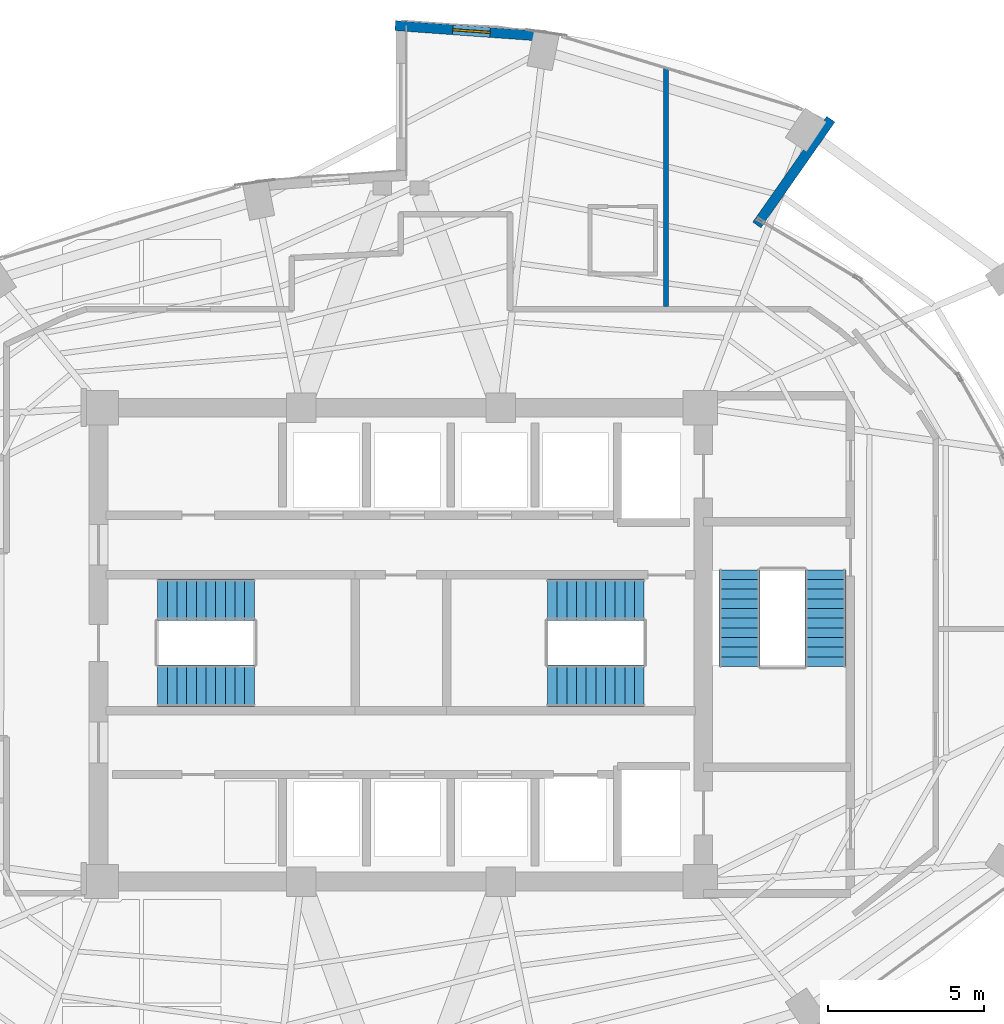
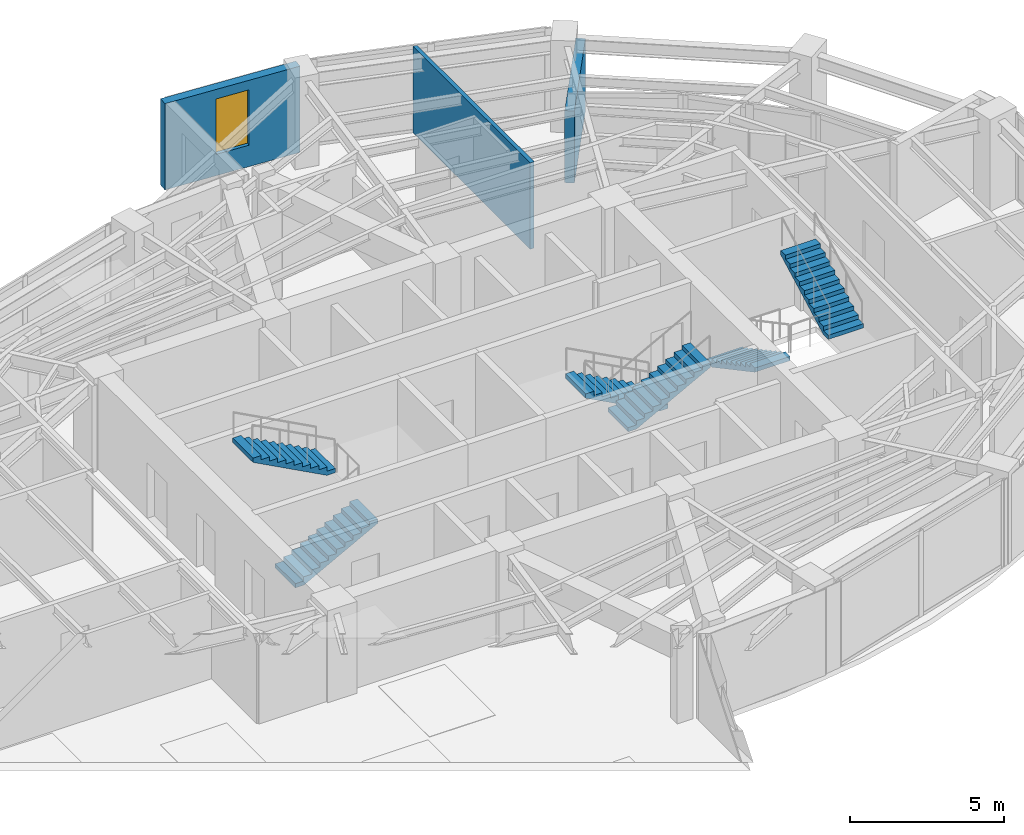
# One storey, part 17 of 19: 6 stair flights, 3 walls, 1 window, 1 opening, 3 elements without a shape of their own.
"""IFC4 building model written with IfcOpenShell, lengths in metres."""

import ifcopenshell
import ifcopenshell.guid

model = None  # the IFC model being written
_history = None  # IfcOwnerHistory: only IFC2X3 demands one
_inside = {}  # id of a spatial element -> (the spatial element, [elements in it])
_under = {}  # id of a project, library or spatial element -> (it, [spatial elements below it])
_declared = {}  # id of a project -> (the project, [libraries it declares])
_typed = {}  # id of a type object -> (the type object, [elements of that type])
_made_of = {}  # id of a material, layer set ... -> (it, [elements and type objects made of it])


def new_model(schema):
    """Start an empty IFC model of exactly this schema.

    Asked for "IFC4X3", IfcOpenShell would pick the latest addendum, in which some entities
    have other attributes; the version numbers below select the first issue.
    IFC2X3 requires an IfcOwnerHistory on every rooted entity: one is made here for all.
    """
    global model, _history
    if schema == "IFC4X3":
        model = ifcopenshell.file(schema_version=(4, 3, 0, 0))
    else:
        model = ifcopenshell.file(schema=schema)
    _inside.clear()
    _under.clear()
    _declared.clear()
    _typed.clear()
    _made_of.clear()
    _history = None
    if model.schema == "IFC2X3":
        org = make("IfcOrganization", Name="unknown")
        user = make(
            "IfcPersonAndOrganization",
            ThePerson=make("IfcPerson", FamilyName="unknown"),
            TheOrganization=org,
        )
        app = make(
            "IfcApplication",
            ApplicationDeveloper=org,
            Version="unknown",
            ApplicationFullName="unknown",
            ApplicationIdentifier="unknown",
        )
        _history = make(
            "IfcOwnerHistory",
            OwningUser=user,
            OwningApplication=app,
            ChangeAction="ADDED",
            CreationDate=0,
        )
    return model


def make(cls, **values):
    """One entity of the class cls with the attributes given. An attribute that is None is left unset."""
    return model.create_entity(
        cls, **{name: value for name, value in values.items() if value is not None}
    )


def rooted(cls, **values):
    """An entity with a GlobalId (a new one), such as an element, a storey or a relation."""
    return make(cls, GlobalId=ifcopenshell.guid.new(), OwnerHistory=_history, **values)


def si_unit(unit_type, name, prefix=None):
    """IfcSIUnit, for example si_unit("LENGTHUNIT", "METRE", prefix="MILLI")."""
    return make("IfcSIUnit", UnitType=unit_type, Prefix=prefix, Name=name)


def assignment(units):
    """IfcUnitAssignment: the units of a project."""
    return None if units is None else make("IfcUnitAssignment", Units=units)


def point(xyz):
    """IfcCartesianPoint."""
    return None if xyz is None else make("IfcCartesianPoint", Coordinates=xyz)


def direction(xyz):
    """IfcDirection."""
    return None if xyz is None else make("IfcDirection", DirectionRatios=xyz)


def frame(location, z_axis=None, x_axis=None):
    """IfcAxis2Placement3D, a coordinate frame: its origin and axes. An axis left out is left unset."""
    return make(
        "IfcAxis2Placement3D",
        Location=point(location),
        Axis=direction(z_axis),
        RefDirection=direction(x_axis),
    )


def frame_2d(location, x_axis=None):
    """IfcAxis2Placement2D, a coordinate frame in the plane: its origin and x axis."""
    return make(
        "IfcAxis2Placement2D", Location=point(location), RefDirection=direction(x_axis)
    )


def origin():
    """The frame at (0, 0, 0) with its axes left unset."""
    return frame((0.0, 0.0, 0.0))


def place(relative_to, where):
    """IfcLocalPlacement: puts the frame where relative to a parent placement (None: the world)."""
    return make(
        "IfcLocalPlacement", PlacementRelTo=relative_to, RelativePlacement=where
    )


def context(
    kind, dimensions, precision=None, world=None, true_north=None, identifier=None
):
    """IfcGeometricRepresentationContext, for example the 3D "Model" context."""
    return make(
        "IfcGeometricRepresentationContext",
        ContextIdentifier=identifier,
        ContextType=kind,
        CoordinateSpaceDimension=dimensions,
        Precision=precision,
        WorldCoordinateSystem=world,
        TrueNorth=true_north,
    )


def subcontext(parent, identifier, kind, view, scale=None):
    """IfcGeometricRepresentationSubContext, for example "Body" below "Model"."""
    return make(
        "IfcGeometricRepresentationSubContext",
        ContextIdentifier=identifier,
        ContextType=kind,
        ParentContext=parent,
        TargetScale=scale,
        TargetView=view,
    )


def project(units=None, contexts=None):
    """IfcProject with its units and contexts."""
    return rooted(
        "IfcProject",
        Name="project",
        RepresentationContexts=contexts,
        UnitsInContext=assignment(units),
    )


def spatial(cls, under=None, at=None, **own):
    """A site, building, storey or space (cls), placed at a placement, below another one or the project."""
    s = rooted(cls, ObjectPlacement=at, **own)
    if under is not None:
        _under.setdefault(under.id(), (under, []))[1].append(s)
    return s


def polyline(points):
    """IfcPolyline through the points."""
    return make("IfcPolyline", Points=[point(p) for p in points])


def profile(cls, at=None, kind="AREA", **sizes):
    """A parametric profile (cls). Its sizes go by their IFC names, for example OverallWidth=200.0."""
    return make(cls, ProfileType=kind, Position=at, **sizes)


def rectangle(**sizes):
    """IfcRectangleProfileDef."""
    return profile("IfcRectangleProfileDef", **sizes)


def outline(outer, holes=None, kind="AREA"):
    """IfcArbitraryClosedProfileDef: a profile drawn as a closed curve; with holes, ...WithVoids."""
    if holes is None:
        return make("IfcArbitraryClosedProfileDef", ProfileType=kind, OuterCurve=outer)
    return make(
        "IfcArbitraryProfileDefWithVoids",
        ProfileType=kind,
        OuterCurve=outer,
        InnerCurves=holes,
    )


def extrude(swept, where, along, depth):
    """IfcExtrudedAreaSolid: the profile swept, set in the frame where, extruded along a direction by depth."""
    return make(
        "IfcExtrudedAreaSolid",
        SweptArea=swept,
        Position=where,
        ExtrudedDirection=direction(along),
        Depth=depth,
    )


def shape(context_of_items, identifier, shape_type, items):
    """IfcShapeRepresentation: the items that make up one representation, for example the "Body"."""
    return make(
        "IfcShapeRepresentation",
        ContextOfItems=context_of_items,
        RepresentationIdentifier=identifier,
        RepresentationType=shape_type,
        Items=items,
    )


def material(Name=None, Category=None):
    """IfcMaterial."""
    return make("IfcMaterial", Name=Name, Category=Category)


def layer(
    of_material, thickness, ventilated=None, Name=None, Category=None, Priority=None
):
    """IfcMaterialLayer: one layer of a wall or slab, of a material (None: an air gap)."""
    return make(
        "IfcMaterialLayer",
        Material=of_material,
        LayerThickness=thickness,
        IsVentilated=ventilated,
        Name=Name,
        Category=Category,
        Priority=Priority,
    )


def layer_set(layers, Name=None):
    """IfcMaterialLayerSet."""
    return make("IfcMaterialLayerSet", MaterialLayers=layers, LayerSetName=Name)


def made_of(thing, what):
    """Note that an element or type object is made of a material, layer set ...; save() writes the relation."""
    if what is not None:
        _made_of.setdefault(what.id(), (what, []))[1].append(thing)
    return thing


def type_object(cls, material=None, **own):
    """A type object (cls), such as IfcWallType, which elements share."""
    return made_of(rooted(cls, **own), material)


def element(
    cls,
    number,
    at=None,
    inside=None,
    cuts=None,
    type_object=None,
    material=None,
    context=None,
    identifier="Body",
    shape_type=None,
    held_by="IfcProductDefinitionShape",
    body=None,
    shapes=None,
    **own,
):
    """One element of the class cls, such as IfcWall. Its Tag is "e" and its number.

    at: its placement. inside: the storey or other place that contains it. cuts: it is an
    opening in that element (IfcRelVoidsElement). A single representation is given by context,
    identifier, shape_type and body (its items); several are given by shapes. held_by: the class
    of the entity that holds the representations. save() writes the other relations.
    """
    e = rooted(cls, Tag="e%d" % number, ObjectPlacement=at, **own)
    if body is not None:
        shapes = [shape(context, identifier, shape_type, body)]
    if shapes is not None:
        e.Representation = make(held_by, Representations=shapes)
    if inside is not None:
        _inside.setdefault(inside.id(), (inside, []))[1].append(e)
    if cuts is not None:
        rooted(
            "IfcRelVoidsElement", RelatingBuildingElement=cuts, RelatedOpeningElement=e
        )
    if type_object is not None:
        _typed.setdefault(type_object.id(), (type_object, []))[1].append(e)
    return made_of(e, material)


def fill(opening, filler):
    """IfcRelFillsElement: the door or window that sits in an opening."""
    return rooted(
        "IfcRelFillsElement",
        RelatingOpeningElement=opening,
        RelatedBuildingElement=filler,
    )


def aggregate(whole, parts):
    """IfcRelAggregates: a whole, such as a stair, and the parts it consists of."""
    return rooted("IfcRelAggregates", RelatingObject=whole, RelatedObjects=parts)


def save(model, path):
    """Write the relations noted so far, then the file.

    IfcRelAggregates (storeys below a building ...), IfcRelContainedInSpatialStructure (elements
    in a storey), IfcRelDefinesByType, IfcRelAssociatesMaterial and IfcRelDeclares: one each for
    every whole, place, type object, material and project.
    """
    for whole, parts in _under.values():
        aggregate(whole, parts)
    for where, things in _inside.values():
        rooted(
            "IfcRelContainedInSpatialStructure",
            RelatedElements=things,
            RelatingStructure=where,
        )
    for kind, things in _typed.values():
        rooted("IfcRelDefinesByType", RelatedObjects=things, RelatingType=kind)
    for what, things in _made_of.values():
        rooted("IfcRelAssociatesMaterial", RelatedObjects=things, RelatingMaterial=what)
    for by, libraries in _declared.values():
        rooted("IfcRelDeclares", RelatingContext=by, RelatedDefinitions=libraries)
    model.write(path)


model = new_model("IFC4")

# Units and contexts
model_context = context("Model", 3, precision=1e-05, world=origin(), true_north=direction((0.0, 1.0)))
body_context = subcontext(model_context, "Body", "Model", "MODEL_VIEW")
ifc_project = project(units=[si_unit("LENGTHUNIT", "METRE"), si_unit("AREAUNIT", "SQUARE_METRE"), si_unit("VOLUMEUNIT", "CUBIC_METRE"), si_unit("PLANEANGLEUNIT", "RADIAN"), si_unit("MASSUNIT", "GRAM", prefix="KILO")], contexts=[model_context])

# Site, building, storey
site_placement = place(None, origin())
site = spatial("IfcSite", under=ifc_project, at=site_placement, CompositionType="ELEMENT")
building_placement = place(site_placement, origin())
building = spatial("IfcBuilding", under=site, at=building_placement, Name="Lazwardi Medical Tower", CompositionType="ELEMENT")
storey_placement = place(building_placement, frame((0.0, 0.0, 171.1201171875)))
storey = spatial("IfcBuildingStorey", under=building, at=storey_placement, Name="L44", CompositionType="ELEMENT", Elevation=171.1201171875)

# Wall, opening, window
ifc_material_1 = material(Name="Precast concrete C45/55", Category="concrete")
ifc_layer_1 = layer(ifc_material_1, 0.320068359375)
ifc_layer_set_1 = layer_set([ifc_layer_1], Name="Precast concrete C45/55")
wall_type_1 = type_object("IfcWallType", Name="WL-IWAN-320", PredefinedType="SOLIDWALL", material=ifc_layer_set_1)
wall_1_placement = place(storey_placement, frame((40.700927734375, 47.501220703125, 0.0), z_axis=(0.0, 0.0, 1.0), x_axis=(-0.997415460462, 0.071849838072, 0.0)))
wall_1 = element("IfcWall", 1, at=wall_1_placement, inside=storey, type_object=wall_type_1, Name="L44 Iwan Portal Return Wall NE_ret", PredefinedType="SOLIDWALL", context=body_context, shape_type="SweptSolid", body=[
    extrude(rectangle(XDim=4.89306640625, YDim=0.320068359375, at=frame_2d((2.446533203125, 0.0))), origin(), (0.0, 0.0, 1.0), 3.427978515625),
])
opening_placement = place(wall_1_placement, frame((1.846435546875, 0.0, 0.85009765625)))
opening = element("IfcOpeningElement", 2, at=opening_placement, cuts=wall_1, Name="Opening WN-01", PredefinedType="OPENING", context=body_context, shape_type="SweptSolid", body=[
    extrude(rectangle(XDim=1.199951171875, YDim=2.199951171875, at=frame_2d((0.60009765625, 1.10009765625))), frame((0.0, 0.169921875, 0.0), z_axis=(0.0, -1.0, 0.0), x_axis=(1.0, 0.0, 0.0)), (0.0, 0.0, 1.0), 0.340087890625),
])
ifc_material_2 = material(Name="Low-e bronze solar control double glazing", Category="glass")
window_type = type_object("IfcWindowType", Name="WIN-IW-1200", PartitioningType="SINGLE_PANEL", PredefinedType="WINDOW", material=ifc_material_2)
window_placement = place(opening_placement, origin())
window = element("IfcWindow", 3, at=window_placement, inside=storey, type_object=window_type, Name="L44 Iwan Slot Window NE_ret", OverallHeight=2.199951171875, OverallWidth=1.199951171875, PartitioningType="SINGLE_PANEL", PredefinedType="WINDOW", context=body_context, shape_type="SweptSolid", body=[
    extrude(rectangle(XDim=1.199951171875, YDim=2.199951171875, at=frame_2d((0.60009765625, 1.10009765625))), frame((0.0, 0.030029296875, 0.0), z_axis=(0.0, -1.0, 0.0), x_axis=(1.0, 0.0, 0.0)), (0.0, 0.0, 1.0), 0.06005859375),
])
fill(opening, window)

# Walls
wall_2_placement = place(storey_placement, frame((49.788818359375, 44.849853515625, 0.0), z_axis=(0.0, 0.0, 1.0), x_axis=(-0.57355337011, -0.819168194961, 0.0)))
element("IfcWall", 4, at=wall_2_placement, inside=storey, type_object=wall_type_1, Name="L44 Sky Garden SG3 Flank Wall S1", PredefinedType="SOLIDWALL", context=body_context, shape_type="SweptSolid", body=[
    extrude(rectangle(XDim=4.139892578125, YDim=0.320068359375, at=frame_2d((2.06982421875, 0.0))), origin(), (0.0, 0.0, 1.0), 2.86279296875),
])
ifc_material_3 = material(Name="Acoustic gypsum board partition")
ifc_layer_2 = layer(ifc_material_3, 0.14990234375)
ifc_layer_set_2 = layer_set([ifc_layer_2], Name="Acoustic gypsum board partition")
wall_type_2 = type_object("IfcWallType", Name="WL-WRD-150", PredefinedType="PARTITIONING", material=ifc_layer_set_2)
wall_3_placement = place(storey_placement, frame((44.5, 38.840087890625, 0.0), z_axis=(0.0, 0.0, 1.0), x_axis=(0.0, 1.0, 0.0)))
element("IfcWall", 5, at=wall_3_placement, inside=storey, type_object=wall_type_2, Name="L44 Room partition 4", PredefinedType="PARTITIONING", context=body_context, shape_type="SweptSolid", body=[
    extrude(rectangle(XDim=7.639404296875, YDim=0.14990234375, at=frame_2d((3.81982421875, 0.0))), origin(), (0.0, 0.0, 1.0), 3.427978515625),
])

# Stair, stair flights
ifc_material_4 = material(Name="Concrete C45/55", Category="concrete")
stair_type = type_object("IfcStairType", Name="STR-WRD", PredefinedType="HALF_TURN_STAIR", material=ifc_material_4)
stair_1_placement = place(storey_placement, origin())
stair_1 = element("IfcStair", 6, at=stair_1_placement, inside=storey, type_object=stair_type, Name="L44 Protected Exit Stair ST1", PredefinedType="HALF_TURN_STAIR")
stair_flight_type = type_object("IfcStairFlightType", Name="FLT-WRD", PredefinedType="STRAIGHT", material=ifc_material_4)
stair_flight_1_placement = place(storey_placement, frame((28.199951171875, 26.679931640625, 0.0), z_axis=(0.0, 0.0, 1.0), x_axis=(1.0, 0.0, 0.0)))
stair_flight_1 = element("IfcStairFlight", 7, at=stair_flight_1_placement, type_object=stair_flight_type, Name="ST1 flight 1", NumberOfRisers=11, NumberOfTreads=10, PredefinedType="STRAIGHT", RiserHeight=0.165818182, TreadLength=0.31, context=body_context, shape_type="SweptSolid", body=[
    extrude(outline(polyline([(0.0, 0.0), (0.0, 0.165771484375), (0.31005859375, 0.165771484375), (0.31005859375, 0.33154296875), (0.6201171875, 0.33154296875), (0.6201171875, 0.49755859375), (0.929931640625, 0.49755859375), (0.929931640625, 0.663330078125), (1.239990234375, 0.663330078125), (1.239990234375, 0.8291015625), (1.550048828125, 0.8291015625), (1.550048828125, 0.994873046875), (1.860107421875, 0.994873046875), (1.860107421875, 1.16064453125), (2.169921875, 1.16064453125), (2.169921875, 1.32666015625), (2.47998046875, 1.32666015625), (2.47998046875, 1.492431640625), (2.7900390625, 1.492431640625), (2.7900390625, 1.658203125), (3.10009765625, 1.658203125), (3.10009765625, 1.823974609375), (3.10009765625, 1.48828125), (0.31787109375, 0.0), (0.0, 0.0)])), frame((0.0, 0.66015625, 0.0), z_axis=(0.0, -1.0, 0.0), x_axis=(1.0, 0.0, 0.0)), (0.0, 0.0, 1.0), 1.320068359375),
])
stair_flight_2_placement = place(storey_placement, frame((31.300048828125, 29.43994140625, 1.823974609375), z_axis=(0.0, 0.0, 1.0), x_axis=(-1.0, 0.0, 0.0)))
stair_flight_2 = element("IfcStairFlight", 8, at=stair_flight_2_placement, type_object=stair_flight_type, Name="ST1 flight 2", NumberOfRisers=11, NumberOfTreads=10, PredefinedType="STRAIGHT", RiserHeight=0.165818182, TreadLength=0.31, context=body_context, shape_type="SweptSolid", body=[
    extrude(outline(polyline([(0.0, 0.0), (0.0, 0.165771484375), (0.31005859375, 0.165771484375), (0.31005859375, 0.33154296875), (0.6201171875, 0.33154296875), (0.6201171875, 0.49755859375), (0.929931640625, 0.49755859375), (0.929931640625, 0.663330078125), (1.239990234375, 0.663330078125), (1.239990234375, 0.8291015625), (1.550048828125, 0.8291015625), (1.550048828125, 0.994873046875), (1.860107421875, 0.994873046875), (1.860107421875, 1.16064453125), (2.169921875, 1.16064453125), (2.169921875, 1.32666015625), (2.47998046875, 1.32666015625), (2.47998046875, 1.492431640625), (2.7900390625, 1.492431640625), (2.7900390625, 1.658203125), (3.10009765625, 1.658203125), (3.10009765625, 1.823974609375), (3.10009765625, 1.48828125), (0.31787109375, 0.0), (0.0, 0.0)])), frame((0.0, 0.66015625, 0.0), z_axis=(0.0, -1.0, 0.0), x_axis=(1.0, 0.0, 0.0)), (0.0, 0.0, 1.0), 1.320068359375),
])
aggregate(stair_1, [stair_flight_1, stair_flight_2])

stair_2_placement = place(storey_placement, origin())
stair_2 = element("IfcStair", 9, at=stair_2_placement, inside=storey, type_object=stair_type, Name="L44 Protected Exit Stair ST2", PredefinedType="HALF_TURN_STAIR")
stair_flight_3_placement = place(storey_placement, frame((43.800048828125, 29.43994140625, 0.0), z_axis=(0.0, 0.0, 1.0), x_axis=(-1.0, 0.0, 0.0)))
stair_flight_3 = element("IfcStairFlight", 10, at=stair_flight_3_placement, type_object=stair_flight_type, Name="ST2 flight 1", NumberOfRisers=11, NumberOfTreads=10, PredefinedType="STRAIGHT", RiserHeight=0.165818182, TreadLength=0.31, context=body_context, shape_type="SweptSolid", body=[
    extrude(outline(polyline([(0.0, 0.0), (0.0, 0.165771484375), (0.31005859375, 0.165771484375), (0.31005859375, 0.33154296875), (0.6201171875, 0.33154296875), (0.6201171875, 0.49755859375), (0.929931640625, 0.49755859375), (0.929931640625, 0.663330078125), (1.239990234375, 0.663330078125), (1.239990234375, 0.8291015625), (1.550048828125, 0.8291015625), (1.550048828125, 0.994873046875), (1.860107421875, 0.994873046875), (1.860107421875, 1.16064453125), (2.169921875, 1.16064453125), (2.169921875, 1.32666015625), (2.47998046875, 1.32666015625), (2.47998046875, 1.492431640625), (2.7900390625, 1.492431640625), (2.7900390625, 1.658203125), (3.10009765625, 1.658203125), (3.10009765625, 1.823974609375), (3.10009765625, 1.48828125), (0.31787109375, 0.0), (0.0, 0.0)])), frame((0.0, 0.66015625, 0.0), z_axis=(0.0, -1.0, 0.0), x_axis=(1.0, 0.0, 0.0)), (0.0, 0.0, 1.0), 1.320068359375),
])
stair_flight_4_placement = place(storey_placement, frame((40.699951171875, 26.679931640625, 1.823974609375), z_axis=(0.0, 0.0, 1.0), x_axis=(1.0, 0.0, 0.0)))
stair_flight_4 = element("IfcStairFlight", 11, at=stair_flight_4_placement, type_object=stair_flight_type, Name="ST2 flight 2", NumberOfRisers=11, NumberOfTreads=10, PredefinedType="STRAIGHT", RiserHeight=0.165818182, TreadLength=0.31, context=body_context, shape_type="SweptSolid", body=[
    extrude(outline(polyline([(0.0, 0.0), (0.0, 0.165771484375), (0.31005859375, 0.165771484375), (0.31005859375, 0.33154296875), (0.6201171875, 0.33154296875), (0.6201171875, 0.49755859375), (0.929931640625, 0.49755859375), (0.929931640625, 0.663330078125), (1.239990234375, 0.663330078125), (1.239990234375, 0.8291015625), (1.550048828125, 0.8291015625), (1.550048828125, 0.994873046875), (1.860107421875, 0.994873046875), (1.860107421875, 1.16064453125), (2.169921875, 1.16064453125), (2.169921875, 1.32666015625), (2.47998046875, 1.32666015625), (2.47998046875, 1.492431640625), (2.7900390625, 1.492431640625), (2.7900390625, 1.658203125), (3.10009765625, 1.658203125), (3.10009765625, 1.823974609375), (3.10009765625, 1.48828125), (0.31787109375, 0.0), (0.0, 0.0)])), frame((0.0, 0.66015625, 0.0), z_axis=(0.0, -1.0, 0.0), x_axis=(1.0, 0.0, 0.0)), (0.0, 0.0, 1.0), 1.320068359375),
])
aggregate(stair_2, [stair_flight_3, stair_flight_4])

stair_3_placement = place(storey_placement, origin())
stair_3 = element("IfcStair", 12, at=stair_3_placement, inside=storey, type_object=stair_type, Name="L44 Protected Exit Stair ST3", PredefinedType="HALF_TURN_STAIR")
stair_flight_5_placement = place(storey_placement, frame((46.860107421875, 30.39990234375, 0.0), z_axis=(0.0, 0.0, 1.0), x_axis=(0.0, -1.0, 0.0)))
stair_flight_5 = element("IfcStairFlight", 13, at=stair_flight_5_placement, type_object=stair_flight_type, Name="ST3 flight 1", NumberOfRisers=11, NumberOfTreads=10, PredefinedType="STRAIGHT", RiserHeight=0.165818182, TreadLength=0.31, context=body_context, shape_type="SweptSolid", body=[
    extrude(outline(polyline([(0.0, 0.0), (0.0, 0.165771484375), (0.31005859375, 0.165771484375), (0.31005859375, 0.33154296875), (0.6201171875, 0.33154296875), (0.6201171875, 0.49755859375), (0.929931640625, 0.49755859375), (0.929931640625, 0.663330078125), (1.239990234375, 0.663330078125), (1.239990234375, 0.8291015625), (1.550048828125, 0.8291015625), (1.550048828125, 0.994873046875), (1.860107421875, 0.994873046875), (1.860107421875, 1.16064453125), (2.169921875, 1.16064453125), (2.169921875, 1.32666015625), (2.47998046875, 1.32666015625), (2.47998046875, 1.492431640625), (2.7900390625, 1.492431640625), (2.7900390625, 1.658203125), (3.10009765625, 1.658203125), (3.10009765625, 1.823974609375), (3.10009765625, 1.48828125), (0.31787109375, 0.0), (0.0, 0.0)])), frame((0.0, 0.66015625, 0.0), z_axis=(0.0, -1.0, 0.0), x_axis=(1.0, 0.0, 0.0)), (0.0, 0.0, 1.0), 1.320068359375),
])
stair_flight_6_placement = place(storey_placement, frame((49.6201171875, 27.300048828125, 1.823974609375), z_axis=(0.0, 0.0, 1.0), x_axis=(0.0, 1.0, 0.0)))
stair_flight_6 = element("IfcStairFlight", 14, at=stair_flight_6_placement, type_object=stair_flight_type, Name="ST3 flight 2", NumberOfRisers=11, NumberOfTreads=10, PredefinedType="STRAIGHT", RiserHeight=0.165818182, TreadLength=0.31, context=body_context, shape_type="SweptSolid", body=[
    extrude(outline(polyline([(0.0, 0.0), (0.0, 0.165771484375), (0.31005859375, 0.165771484375), (0.31005859375, 0.33154296875), (0.6201171875, 0.33154296875), (0.6201171875, 0.49755859375), (0.929931640625, 0.49755859375), (0.929931640625, 0.663330078125), (1.239990234375, 0.663330078125), (1.239990234375, 0.8291015625), (1.550048828125, 0.8291015625), (1.550048828125, 0.994873046875), (1.860107421875, 0.994873046875), (1.860107421875, 1.16064453125), (2.169921875, 1.16064453125), (2.169921875, 1.32666015625), (2.47998046875, 1.32666015625), (2.47998046875, 1.492431640625), (2.7900390625, 1.492431640625), (2.7900390625, 1.658203125), (3.10009765625, 1.658203125), (3.10009765625, 1.823974609375), (3.10009765625, 1.48828125), (0.31787109375, 0.0), (0.0, 0.0)])), frame((0.0, 0.66015625, 0.0), z_axis=(0.0, -1.0, 0.0), x_axis=(1.0, 0.0, 0.0)), (0.0, 0.0, 1.0), 1.320068359375),
])
aggregate(stair_3, [stair_flight_5, stair_flight_6])

save(model, "model.ifc")
